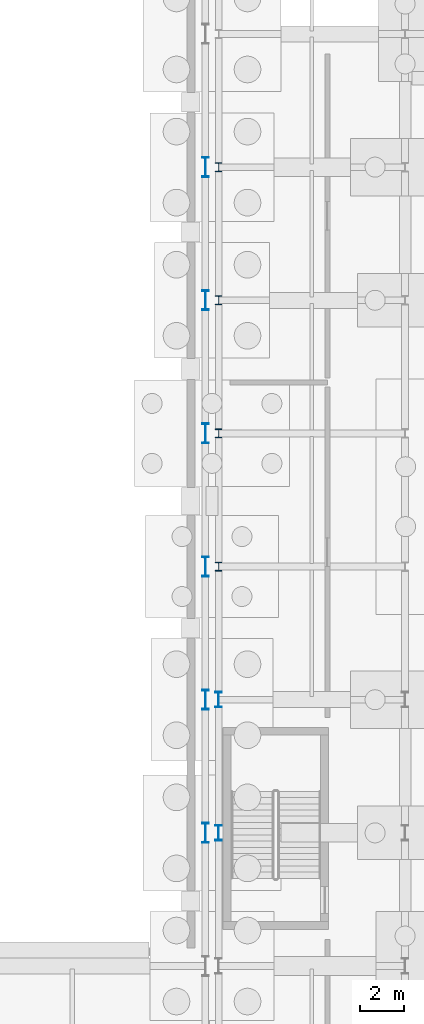
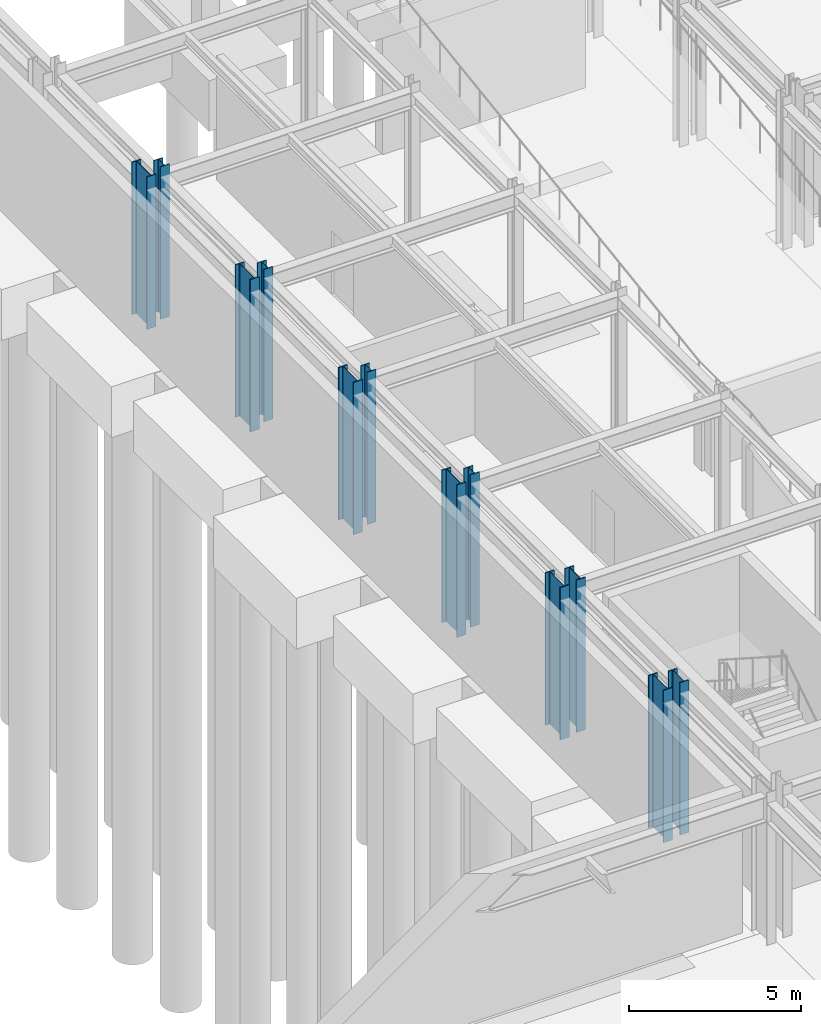
# One storey, part 23 of 65: 12 columns.
"""IFC4 building model written with IfcOpenShell, lengths in metres."""

import ifcopenshell
import ifcopenshell.guid

model = None  # the IFC model being written
_history = None  # IfcOwnerHistory: only IFC2X3 demands one
_inside = {}  # id of a spatial element -> (the spatial element, [elements in it])
_under = {}  # id of a project, library or spatial element -> (it, [spatial elements below it])
_declared = {}  # id of a project -> (the project, [libraries it declares])
_typed = {}  # id of a type object -> (the type object, [elements of that type])
_made_of = {}  # id of a material, layer set ... -> (it, [elements and type objects made of it])


def new_model(schema):
    """Start an empty IFC model of exactly this schema.

    Asked for "IFC4X3", IfcOpenShell would pick the latest addendum, in which some entities
    have other attributes; the version numbers below select the first issue.
    IFC2X3 requires an IfcOwnerHistory on every rooted entity: one is made here for all.
    """
    global model, _history
    if schema == "IFC4X3":
        model = ifcopenshell.file(schema_version=(4, 3, 0, 0))
    else:
        model = ifcopenshell.file(schema=schema)
    _inside.clear()
    _under.clear()
    _declared.clear()
    _typed.clear()
    _made_of.clear()
    _history = None
    if model.schema == "IFC2X3":
        org = make("IfcOrganization", Name="unknown")
        user = make(
            "IfcPersonAndOrganization",
            ThePerson=make("IfcPerson", FamilyName="unknown"),
            TheOrganization=org,
        )
        app = make(
            "IfcApplication",
            ApplicationDeveloper=org,
            Version="unknown",
            ApplicationFullName="unknown",
            ApplicationIdentifier="unknown",
        )
        _history = make(
            "IfcOwnerHistory",
            OwningUser=user,
            OwningApplication=app,
            ChangeAction="ADDED",
            CreationDate=0,
        )
    return model


def make(cls, **values):
    """One entity of the class cls with the attributes given. An attribute that is None is left unset."""
    return model.create_entity(
        cls, **{name: value for name, value in values.items() if value is not None}
    )


def rooted(cls, **values):
    """An entity with a GlobalId (a new one), such as an element, a storey or a relation."""
    return make(cls, GlobalId=ifcopenshell.guid.new(), OwnerHistory=_history, **values)


def si_unit(unit_type, name, prefix=None):
    """IfcSIUnit, for example si_unit("LENGTHUNIT", "METRE", prefix="MILLI")."""
    return make("IfcSIUnit", UnitType=unit_type, Prefix=prefix, Name=name)


def assignment(units):
    """IfcUnitAssignment: the units of a project."""
    return None if units is None else make("IfcUnitAssignment", Units=units)


def point(xyz):
    """IfcCartesianPoint."""
    return None if xyz is None else make("IfcCartesianPoint", Coordinates=xyz)


def direction(xyz):
    """IfcDirection."""
    return None if xyz is None else make("IfcDirection", DirectionRatios=xyz)


def frame(location, z_axis=None, x_axis=None):
    """IfcAxis2Placement3D, a coordinate frame: its origin and axes. An axis left out is left unset."""
    return make(
        "IfcAxis2Placement3D",
        Location=point(location),
        Axis=direction(z_axis),
        RefDirection=direction(x_axis),
    )


def frame_2d(location, x_axis=None):
    """IfcAxis2Placement2D, a coordinate frame in the plane: its origin and x axis."""
    return make(
        "IfcAxis2Placement2D", Location=point(location), RefDirection=direction(x_axis)
    )


def origin():
    """The frame at (0, 0, 0) with its axes left unset."""
    return frame((0.0, 0.0, 0.0))


def origin_2d():
    """The frame at (0, 0) in the plane with its x axis left unset."""
    return frame_2d((0.0, 0.0))


def place(relative_to, where):
    """IfcLocalPlacement: puts the frame where relative to a parent placement (None: the world)."""
    return make(
        "IfcLocalPlacement", PlacementRelTo=relative_to, RelativePlacement=where
    )


def context(
    kind, dimensions, precision=None, world=None, true_north=None, identifier=None
):
    """IfcGeometricRepresentationContext, for example the 3D "Model" context."""
    return make(
        "IfcGeometricRepresentationContext",
        ContextIdentifier=identifier,
        ContextType=kind,
        CoordinateSpaceDimension=dimensions,
        Precision=precision,
        WorldCoordinateSystem=world,
        TrueNorth=true_north,
    )


def subcontext(parent, identifier, kind, view, scale=None):
    """IfcGeometricRepresentationSubContext, for example "Body" below "Model"."""
    return make(
        "IfcGeometricRepresentationSubContext",
        ContextIdentifier=identifier,
        ContextType=kind,
        ParentContext=parent,
        TargetScale=scale,
        TargetView=view,
    )


def project(units=None, contexts=None):
    """IfcProject with its units and contexts."""
    return rooted(
        "IfcProject",
        Name="project",
        RepresentationContexts=contexts,
        UnitsInContext=assignment(units),
    )


def spatial(cls, under=None, at=None, **own):
    """A site, building, storey or space (cls), placed at a placement, below another one or the project."""
    s = rooted(cls, ObjectPlacement=at, **own)
    if under is not None:
        _under.setdefault(under.id(), (under, []))[1].append(s)
    return s


def profile(cls, at=None, kind="AREA", **sizes):
    """A parametric profile (cls). Its sizes go by their IFC names, for example OverallWidth=200.0."""
    return make(cls, ProfileType=kind, Position=at, **sizes)


def i_section(**sizes):
    """IfcIShapeProfileDef."""
    return profile("IfcIShapeProfileDef", **sizes)


def extrude(swept, where, along, depth):
    """IfcExtrudedAreaSolid: the profile swept, set in the frame where, extruded along a direction by depth."""
    return make(
        "IfcExtrudedAreaSolid",
        SweptArea=swept,
        Position=where,
        ExtrudedDirection=direction(along),
        Depth=depth,
    )


def shape(context_of_items, identifier, shape_type, items):
    """IfcShapeRepresentation: the items that make up one representation, for example the "Body"."""
    return make(
        "IfcShapeRepresentation",
        ContextOfItems=context_of_items,
        RepresentationIdentifier=identifier,
        RepresentationType=shape_type,
        Items=items,
    )


def material(Name=None, Category=None):
    """IfcMaterial."""
    return make("IfcMaterial", Name=Name, Category=Category)


def material_profile(
    of_material, cross_section, Name=None, Category=None, Priority=None
):
    """IfcMaterialProfile: a cross section and its material."""
    return make(
        "IfcMaterialProfile",
        Name=Name,
        Material=of_material,
        Profile=cross_section,
        Priority=Priority,
        Category=Category,
    )


def profile_set(profiles, Name=None, composite=None):
    """IfcMaterialProfileSet."""
    return make(
        "IfcMaterialProfileSet",
        Name=Name,
        MaterialProfiles=profiles,
        CompositeProfile=composite,
    )


def made_of(thing, what):
    """Note that an element or type object is made of a material, layer set ...; save() writes the relation."""
    if what is not None:
        _made_of.setdefault(what.id(), (what, []))[1].append(thing)
    return thing


def type_object(cls, material=None, **own):
    """A type object (cls), such as IfcWallType, which elements share."""
    return made_of(rooted(cls, **own), material)


def element(
    cls,
    number,
    at=None,
    inside=None,
    cuts=None,
    type_object=None,
    material=None,
    context=None,
    identifier="Body",
    shape_type=None,
    held_by="IfcProductDefinitionShape",
    body=None,
    shapes=None,
    **own,
):
    """One element of the class cls, such as IfcWall. Its Tag is "e" and its number.

    at: its placement. inside: the storey or other place that contains it. cuts: it is an
    opening in that element (IfcRelVoidsElement). A single representation is given by context,
    identifier, shape_type and body (its items); several are given by shapes. held_by: the class
    of the entity that holds the representations. save() writes the other relations.
    """
    e = rooted(cls, Tag="e%d" % number, ObjectPlacement=at, **own)
    if body is not None:
        shapes = [shape(context, identifier, shape_type, body)]
    if shapes is not None:
        e.Representation = make(held_by, Representations=shapes)
    if inside is not None:
        _inside.setdefault(inside.id(), (inside, []))[1].append(e)
    if cuts is not None:
        rooted(
            "IfcRelVoidsElement", RelatingBuildingElement=cuts, RelatedOpeningElement=e
        )
    if type_object is not None:
        _typed.setdefault(type_object.id(), (type_object, []))[1].append(e)
    return made_of(e, material)


def aggregate(whole, parts):
    """IfcRelAggregates: a whole, such as a stair, and the parts it consists of."""
    return rooted("IfcRelAggregates", RelatingObject=whole, RelatedObjects=parts)


def save(model, path):
    """Write the relations noted so far, then the file.

    IfcRelAggregates (storeys below a building ...), IfcRelContainedInSpatialStructure (elements
    in a storey), IfcRelDefinesByType, IfcRelAssociatesMaterial and IfcRelDeclares: one each for
    every whole, place, type object, material and project.
    """
    for whole, parts in _under.values():
        aggregate(whole, parts)
    for where, things in _inside.values():
        rooted(
            "IfcRelContainedInSpatialStructure",
            RelatedElements=things,
            RelatingStructure=where,
        )
    for kind, things in _typed.values():
        rooted("IfcRelDefinesByType", RelatedObjects=things, RelatingType=kind)
    for what, things in _made_of.values():
        rooted("IfcRelAssociatesMaterial", RelatedObjects=things, RelatingMaterial=what)
    for by, libraries in _declared.values():
        rooted("IfcRelDeclares", RelatingContext=by, RelatedDefinitions=libraries)
    model.write(path)


model = new_model("IFC4")

# Units and contexts
model_context = context("Model", 3, precision=1e-05, world=origin(), true_north=direction((0.0, 1.0)))
body_context = subcontext(model_context, "Body", "Model", "MODEL_VIEW")
ifc_project = project(units=[si_unit("LENGTHUNIT", "METRE"), si_unit("AREAUNIT", "SQUARE_METRE"), si_unit("VOLUMEUNIT", "CUBIC_METRE"), si_unit("PLANEANGLEUNIT", "RADIAN"), si_unit("MASSUNIT", "GRAM", prefix="KILO")], contexts=[model_context])

# Site, building, storey
site_placement = place(None, origin())
site = spatial("IfcSite", under=ifc_project, at=site_placement, CompositionType="ELEMENT")
building_placement = place(site_placement, origin())
building = spatial("IfcBuilding", under=site, at=building_placement, Name="Kaldris Quays Convention Centre", CompositionType="ELEMENT")
storey_placement = place(building_placement, frame((0.0, 0.0, -5.39990234375)))
storey = spatial("IfcBuildingStorey", under=building, at=storey_placement, Name="B1", CompositionType="ELEMENT", Elevation=-5.39990234375)

# Columns
ifc_material = material(Name="Steel S355J2", Category="steel")
ifc_material_profile_1 = material_profile(ifc_material, i_section(OverallWidth=0.300048828125, OverallDepth=0.89990234375, WebThickness=0.0185546875, FlangeThickness=0.034912109375, FilletRadius=0.030029296875, at=origin_2d()), Name="HEB 900")
ifc_profile_set_1 = profile_set([ifc_material_profile_1], Name="Steel S355J2")
column_type_1 = type_object("IfcColumnType", Name="STRUCTURAL COLUMN CL03", PredefinedType="COLUMN", material=ifc_profile_set_1)
for number, where, z_axis, x_axis, name in (
    (1, (146.0, 80.0, 0.0), (0.0, 0.0, 1.0), (1.0, 0.0, 0.0), "B1 V1 Column CL03 (146.00, 80.00)"),
    (2, (146.0, 86.0, 0.0), (0.0, 0.0, 1.0), (1.0, 0.0, 0.0), "B1 V1 Column CL03 (146.00, 86.00)"),
    (3, (146.0, 92.0, 0.0), (0.0, 0.0, 1.0), (1.0, 0.0, 0.0), "B1 V1 Column CL03 (146.00, 92.00)"),
    (4, (146.0, 98.0, 0.0), (0.0, 0.0, 1.0), (1.0, 0.0, 0.0), "B1 V1 Column CL03 (146.00, 98.00)"),
    (5, (146.0, 104.0, 0.0), (0.0, 0.0, 1.0), (1.0, 0.0, 0.0), "B1 V1 Column CL03 (146.00, 104.00)"),
    (6, (146.0, 110.0, 0.0), (0.0, 0.0, 1.0), (1.0, 0.0, 0.0), "B1 V1 Column CL03 (146.00, 110.00)"),
):
    element("IfcColumn", number, at=place(storey_placement, frame(where, z_axis=z_axis, x_axis=x_axis)), inside=storey, type_object=column_type_1, Name=name, PredefinedType="COLUMN", context=body_context, shape_type="SweptSolid", body=[
        extrude(i_section(OverallWidth=0.300048828125, OverallDepth=0.89990234375, WebThickness=0.0185546875, FlangeThickness=0.034912109375, FilletRadius=0.030029296875, at=origin_2d()), origin(), (0.0, 0.0, 1.0), 5.39990234375),
    ])
ifc_material_profile_2 = material_profile(ifc_material, i_section(OverallWidth=0.300048828125, OverallDepth=0.699951171875, WebThickness=0.01708984375, FlangeThickness=0.031982421875, FilletRadius=0.027099609375, at=origin_2d()), Name="HEB 700")
ifc_profile_set_2 = profile_set([ifc_material_profile_2], Name="Steel S355J2")
column_type_2 = type_object("IfcColumnType", Name="STRUCTURAL COLUMN CL05", PredefinedType="COLUMN", material=ifc_profile_set_2)
for number, where, z_axis, x_axis, name in (
    (7, (146.60009765625, 80.0, 0.0), (0.0, 0.0, 1.0), (1.0, 0.0, 0.0), "B1 V4 Column CL05 (146.60, 80.00)"),
    (8, (146.60009765625, 86.0, 0.0), (0.0, 0.0, 1.0), (1.0, 0.0, 0.0), "B1 V4 Column CL05 (146.60, 86.00)"),
):
    element("IfcColumn", number, at=place(storey_placement, frame(where, z_axis=z_axis, x_axis=x_axis)), inside=storey, type_object=column_type_2, Name=name, PredefinedType="COLUMN", context=body_context, shape_type="SweptSolid", body=[
        extrude(i_section(OverallWidth=0.300048828125, OverallDepth=0.699951171875, WebThickness=0.01708984375, FlangeThickness=0.031982421875, FilletRadius=0.027099609375, at=origin_2d()), origin(), (0.0, 0.0, 1.0), 5.39990234375),
    ])
ifc_material_profile_3 = material_profile(ifc_material, i_section(OverallWidth=0.300048828125, OverallDepth=0.39990234375, WebThickness=0.013427734375, FlangeThickness=0.02392578125, FilletRadius=0.027099609375, at=origin_2d()), Name="HEB 400")
ifc_profile_set_3 = profile_set([ifc_material_profile_3], Name="Steel S355J2")
column_type_3 = type_object("IfcColumnType", Name="STRUCTURAL COLUMN CL09", PredefinedType="COLUMN", material=ifc_profile_set_3)
for number, where, z_axis, x_axis, name in (
    (9, (146.60009765625, 92.0, 0.0), (0.0, 0.0, 1.0), (1.0, 0.0, 0.0), "B1 V4 Column CL09 (146.60, 92.00)"),
    (10, (146.60009765625, 98.0, 0.0), (0.0, 0.0, 1.0), (1.0, 0.0, 0.0), "B1 V4 Column CL09 (146.60, 98.00)"),
    (11, (146.60009765625, 104.0, 0.0), (0.0, 0.0, 1.0), (1.0, 0.0, 0.0), "B1 V4 Column CL09 (146.60, 104.00)"),
    (12, (146.60009765625, 110.0, 0.0), (0.0, 0.0, 1.0), (1.0, 0.0, 0.0), "B1 V4 Column CL09 (146.60, 110.00)"),
):
    element("IfcColumn", number, at=place(storey_placement, frame(where, z_axis=z_axis, x_axis=x_axis)), inside=storey, type_object=column_type_3, Name=name, PredefinedType="COLUMN", context=body_context, shape_type="SweptSolid", body=[
        extrude(i_section(OverallWidth=0.300048828125, OverallDepth=0.39990234375, WebThickness=0.013427734375, FlangeThickness=0.02392578125, FilletRadius=0.027099609375, at=origin_2d()), origin(), (0.0, 0.0, 1.0), 5.39990234375),
    ])

save(model, "model.ifc")
